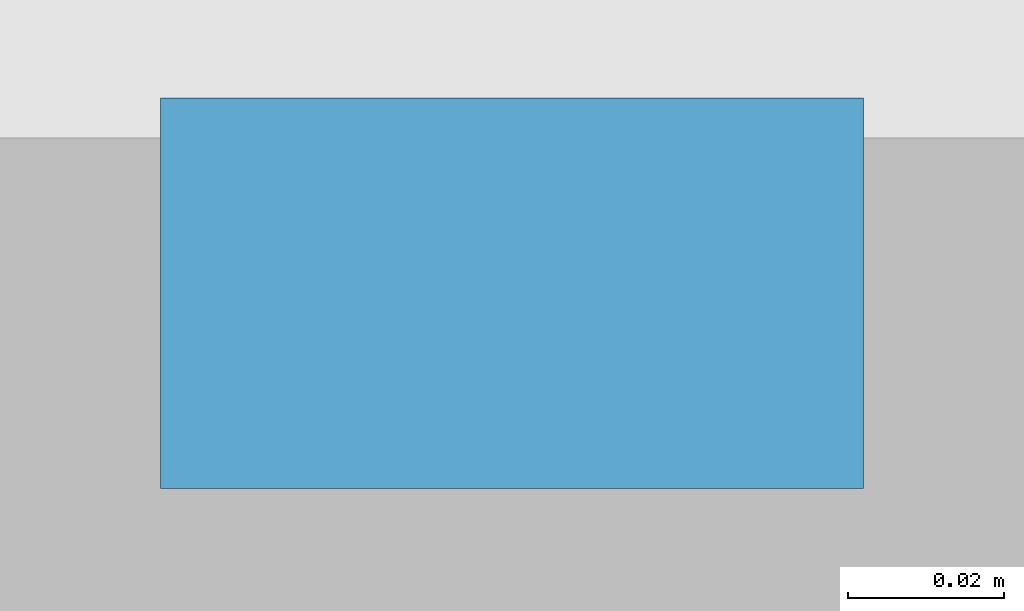
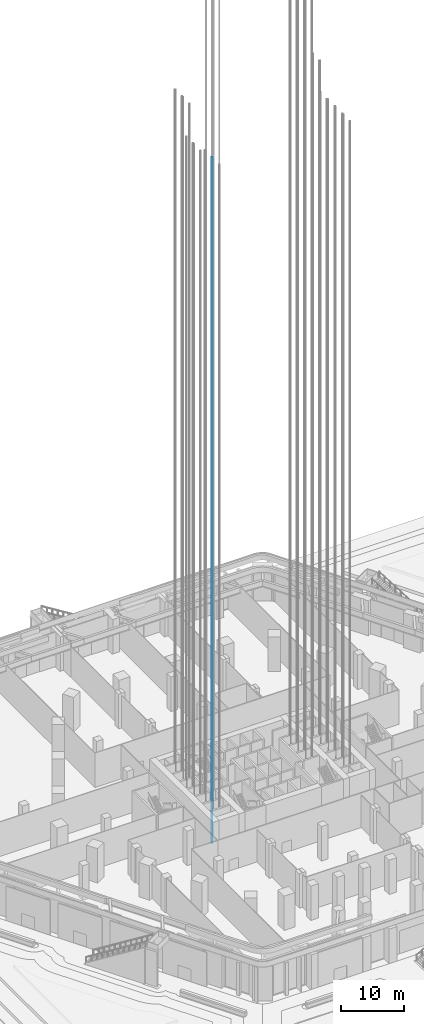
# One storey, part 29 of 68: 1 discrete accessory.
"""IFC4 building model written with IfcOpenShell, lengths in metres."""

from ifc_helpers import new_model, si_unit, direction, frame, origin, origin_2d, place, context, subcontext, project, spatial, rectangle, extrude, element, save


model = new_model("IFC4")

# Units and contexts
model_context = context("Model", 3, precision=1e-05, world=origin(), true_north=direction((0.0, 1.0)))
body_context = subcontext(model_context, "Body", "Model", "MODEL_VIEW")
ifc_project = project(units=[si_unit("LENGTHUNIT", "METRE"), si_unit("AREAUNIT", "SQUARE_METRE"), si_unit("VOLUMEUNIT", "CUBIC_METRE"), si_unit("PLANEANGLEUNIT", "RADIAN"), si_unit("MASSUNIT", "GRAM", prefix="KILO")], contexts=[model_context])

# Site, building, storey
site_placement = place(None, origin())
site = spatial("IfcSite", under=ifc_project, at=site_placement, CompositionType="ELEMENT")
building_placement = place(site_placement, origin())
building = spatial("IfcBuilding", under=site, at=building_placement, Name="Kolab Exchange Tower", CompositionType="ELEMENT")
storey_placement = place(building_placement, origin())
storey = spatial("IfcBuildingStorey", under=building, at=storey_placement, Name="L00", CompositionType="ELEMENT", Elevation=0.0)

# Discrete accessory
discrete_accessory_placement = place(storey_placement, frame((-12.0, -4.669921875, -1.599853515625), z_axis=(0.0, 0.0, 1.0), x_axis=(1.0, 0.0, 0.0)))
element("IfcDiscreteAccessory", 1, at=discrete_accessory_placement, inside=storey, Name="Guide rail LR6-1", ObjectType="GUIDE RAIL", PredefinedType="USERDEFINED", context=body_context, shape_type="SweptSolid", body=[
    extrude(rectangle(XDim=0.090087890625, YDim=0.050048828125, at=origin_2d()), origin(), (0.0, 0.0, 1.0), 133.39990234375),
])

save(model, "model.ifc")
